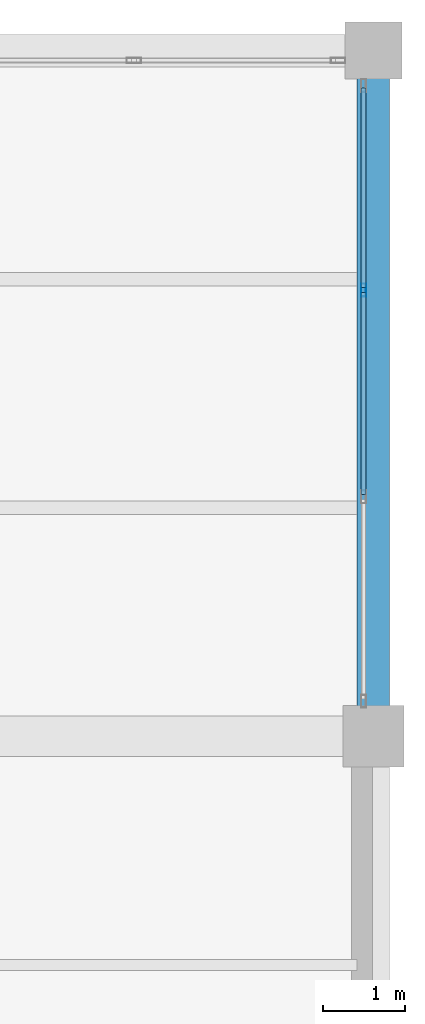
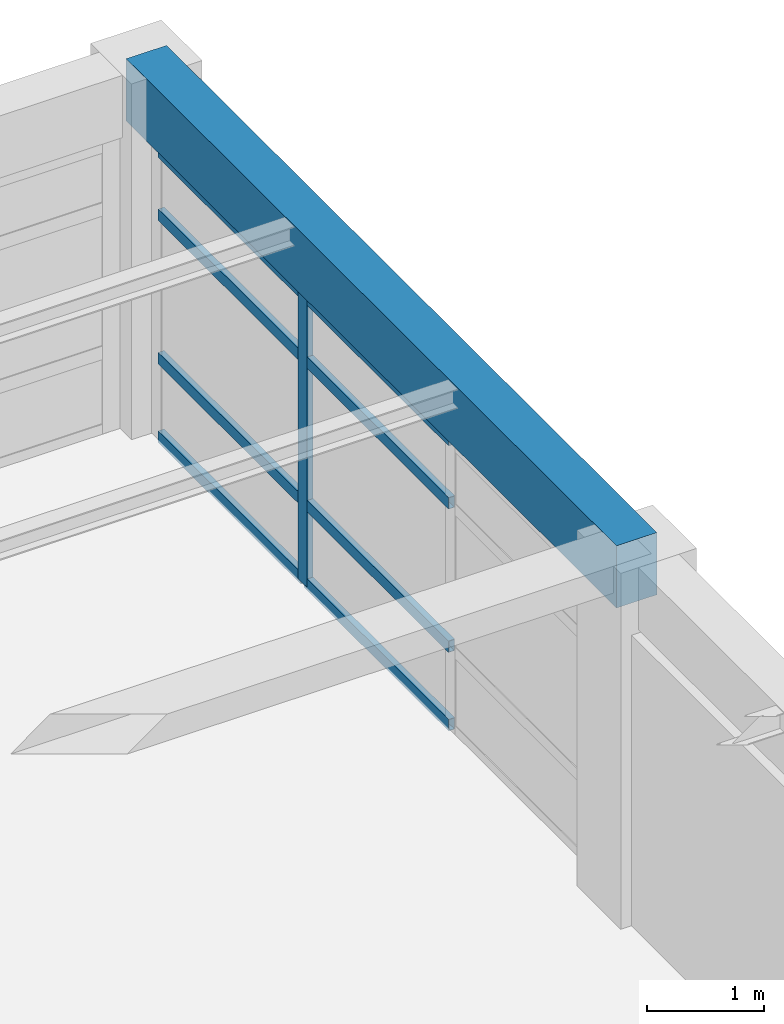
# One storey, part 15 of 26: 9 members, 1 beam, 1 element without a shape of its own.
"""IFC4 building model written with IfcOpenShell, lengths in metres."""

from ifc_helpers import new_model, si_unit, direction, frame, origin, origin_2d, place, context, subcontext, project, spatial, rectangle, hollow_rectangle, extrude, material, material_profile, profile_set, type_object, element, aggregate, save


model = new_model("IFC4")

# Units and contexts
model_context = context("Model", 3, precision=1e-05, world=origin(), true_north=direction((0.0, 1.0)))
body_context = subcontext(model_context, "Body", "Model", "MODEL_VIEW")
ifc_project = project(units=[si_unit("LENGTHUNIT", "METRE"), si_unit("AREAUNIT", "SQUARE_METRE"), si_unit("VOLUMEUNIT", "CUBIC_METRE"), si_unit("PLANEANGLEUNIT", "RADIAN"), si_unit("MASSUNIT", "GRAM", prefix="KILO")], contexts=[model_context])

# Site, building, storey
site_placement = place(None, origin())
site = spatial("IfcSite", under=ifc_project, at=site_placement, CompositionType="ELEMENT")
building_placement = place(site_placement, origin())
building = spatial("IfcBuilding", under=site, at=building_placement, Name="Almacenes y Pasaje Nevantli", CompositionType="ELEMENT")
storey_placement = place(building_placement, frame((0.0, 0.0, 30.699951171875)))
storey = spatial("IfcBuildingStorey", under=building, at=storey_placement, Name="L07", CompositionType="ELEMENT", Elevation=30.699951171875)

# Beam
ifc_material_1 = material(Name="Concrete C35/45", Category="concrete")
ifc_material_profile_1 = material_profile(ifc_material_1, rectangle(XDim=0.39990234375, YDim=0.64990234375, at=origin_2d()), Name="RC-BM-400x650")
ifc_profile_set_1 = profile_set([ifc_material_profile_1], Name="Concrete C35/45")
beam_type = type_object("IfcBeamType", Name="BM-RC-400x650", PredefinedType="SPANDREL", material=ifc_profile_set_1)
beam_placement = place(storey_placement, frame((159.60009765625, 92.39990234375, 3.39501953125), z_axis=(0.0, 1.0, 0.0), x_axis=(-1.0, 0.0, 0.0)))
element("IfcBeam", 1, at=beam_placement, inside=storey, type_object=beam_type, Name="L07 North-South Reinforced Concrete Beam #3684", PredefinedType="SPANDREL", context=body_context, shape_type="SweptSolid", body=[
    extrude(rectangle(XDim=0.39990234375, YDim=0.64990234375, at=origin_2d()), origin(), (0.0, 0.0, 1.0), 8.400146484375),
])

# Curtain wall, members
ifc_material_2 = material(Name="Thermally Broken Aluminium and Low-E Glass", Category="aluminium")
curtain_wall_type = type_object("IfcCurtainWallType", Name="CW-UNIT-TOWER", PredefinedType="USERDEFINED", material=ifc_material_2)
curtain_wall_placement = place(storey_placement, origin())
curtain_wall = element("IfcCurtainWall", 2, at=curtain_wall_placement, inside=storey, type_object=curtain_wall_type, Name="L07 Tower East Curtain Wall Bay 12", ObjectType="UNITIZED CURTAIN WALL", PredefinedType="USERDEFINED")
ifc_material_3 = material(Name="Thermally Broken Anodized Aluminium", Category="aluminium")
ifc_material_profile_2 = material_profile(ifc_material_3, hollow_rectangle(XDim=0.06005859375, YDim=0.159912109375, WallThickness=0.00390625, at=origin_2d()), Name="ALU-MUL-60x160")
ifc_profile_set_2 = profile_set([ifc_material_profile_2], Name="Thermally Broken Anodized Aluminium")
member_type_1 = type_object("IfcMemberType", Name="CW-MUL-180", PredefinedType="MULLION", material=ifc_profile_set_2)
member_1_placement = place(storey_placement, frame((159.47998046875, 97.86669921875, 0.0), z_axis=(0.0, 0.0, 1.0), x_axis=(-1.0, 0.0, 0.0)))
member_1 = element("IfcMember", 3, at=member_1_placement, type_object=member_type_1, Name="CW-L07-120 mullion 3", PredefinedType="MULLION", context=body_context, shape_type="SweptSolid", body=[
    extrude(hollow_rectangle(XDim=0.06005859375, YDim=0.159912109375, WallThickness=0.00390625, at=origin_2d()), origin(), (0.0, 0.0, 1.0), 3.0400390625),
])
ifc_material_4 = material(Name="Thermally Broken Anodized Aluminium", Category="aluminium")
ifc_material_profile_3 = material_profile(ifc_material_4, hollow_rectangle(XDim=0.06005859375, YDim=0.1201171875, WallThickness=0.00341796875, at=origin_2d()), Name="ALU-TRN-60x120")
ifc_profile_set_3 = profile_set([ifc_material_profile_3], Name="Thermally Broken Anodized Aluminium")
member_type_2 = type_object("IfcMemberType", Name="CW-TRN-130", PredefinedType="USERDEFINED", material=ifc_profile_set_3)
member_2_placement = place(storey_placement, frame((159.47998046875, 95.36328125, 0.030029296875), z_axis=(0.0, 1.0, 0.0), x_axis=(-1.0, 0.0, 0.0)))
member_2 = element("IfcMember", 4, at=member_2_placement, type_object=member_type_2, Name="CW-L07-120 transom 2.1", ObjectType="TRANSOM", PredefinedType="USERDEFINED", context=body_context, shape_type="SweptSolid", body=[
    extrude(hollow_rectangle(XDim=0.06005859375, YDim=0.1201171875, WallThickness=0.00341796875, at=origin_2d()), origin(), (0.0, 0.0, 1.0), 2.473388671875),
])
member_3_placement = place(storey_placement, frame((159.47998046875, 95.36328125, 0.85009765625), z_axis=(0.0, 1.0, 0.0), x_axis=(-1.0, 0.0, 0.0)))
member_3 = element("IfcMember", 5, at=member_3_placement, type_object=member_type_2, Name="CW-L07-120 transom 2.2", ObjectType="TRANSOM", PredefinedType="USERDEFINED", context=body_context, shape_type="SweptSolid", body=[
    extrude(hollow_rectangle(XDim=0.06005859375, YDim=0.1201171875, WallThickness=0.00341796875, at=origin_2d()), origin(), (0.0, 0.0, 1.0), 2.473388671875),
])
member_4_placement = place(storey_placement, frame((159.47998046875, 95.36328125, 2.35009765625), z_axis=(0.0, 1.0, 0.0), x_axis=(-1.0, 0.0, 0.0)))
member_4 = element("IfcMember", 6, at=member_4_placement, type_object=member_type_2, Name="CW-L07-120 transom 2.3", ObjectType="TRANSOM", PredefinedType="USERDEFINED", context=body_context, shape_type="SweptSolid", body=[
    extrude(hollow_rectangle(XDim=0.06005859375, YDim=0.1201171875, WallThickness=0.00341796875, at=origin_2d()), origin(), (0.0, 0.0, 1.0), 2.473388671875),
])
member_5_placement = place(storey_placement, frame((159.47998046875, 95.36328125, 3.010009765625), z_axis=(0.0, 1.0, 0.0), x_axis=(-1.0, 0.0, 0.0)))
member_5 = element("IfcMember", 7, at=member_5_placement, type_object=member_type_2, Name="CW-L07-120 transom 2.4", ObjectType="TRANSOM", PredefinedType="USERDEFINED", context=body_context, shape_type="SweptSolid", body=[
    extrude(hollow_rectangle(XDim=0.06005859375, YDim=0.1201171875, WallThickness=0.00341796875, at=origin_2d()), origin(), (0.0, 0.0, 1.0), 2.473388671875),
])
member_6_placement = place(storey_placement, frame((159.47998046875, 97.896728515625, 0.030029296875), z_axis=(0.0, 1.0, 0.0), x_axis=(-1.0, 0.0, 0.0)))
member_6 = element("IfcMember", 8, at=member_6_placement, type_object=member_type_2, Name="CW-L07-120 transom 3.1", ObjectType="TRANSOM", PredefinedType="USERDEFINED", context=body_context, shape_type="SweptSolid", body=[
    extrude(hollow_rectangle(XDim=0.06005859375, YDim=0.1201171875, WallThickness=0.00341796875, at=origin_2d()), origin(), (0.0, 0.0, 1.0), 2.443359375),
])
member_7_placement = place(storey_placement, frame((159.47998046875, 97.896728515625, 0.85009765625), z_axis=(0.0, 1.0, 0.0), x_axis=(-1.0, 0.0, 0.0)))
member_7 = element("IfcMember", 9, at=member_7_placement, type_object=member_type_2, Name="CW-L07-120 transom 3.2", ObjectType="TRANSOM", PredefinedType="USERDEFINED", context=body_context, shape_type="SweptSolid", body=[
    extrude(hollow_rectangle(XDim=0.06005859375, YDim=0.1201171875, WallThickness=0.00341796875, at=origin_2d()), origin(), (0.0, 0.0, 1.0), 2.443359375),
])
member_8_placement = place(storey_placement, frame((159.47998046875, 97.896728515625, 2.35009765625), z_axis=(0.0, 1.0, 0.0), x_axis=(-1.0, 0.0, 0.0)))
member_8 = element("IfcMember", 10, at=member_8_placement, type_object=member_type_2, Name="CW-L07-120 transom 3.3", ObjectType="TRANSOM", PredefinedType="USERDEFINED", context=body_context, shape_type="SweptSolid", body=[
    extrude(hollow_rectangle(XDim=0.06005859375, YDim=0.1201171875, WallThickness=0.00341796875, at=origin_2d()), origin(), (0.0, 0.0, 1.0), 2.443359375),
])
member_9_placement = place(storey_placement, frame((159.47998046875, 97.896728515625, 3.010009765625), z_axis=(0.0, 1.0, 0.0), x_axis=(-1.0, 0.0, 0.0)))
member_9 = element("IfcMember", 11, at=member_9_placement, type_object=member_type_2, Name="CW-L07-120 transom 3.4", ObjectType="TRANSOM", PredefinedType="USERDEFINED", context=body_context, shape_type="SweptSolid", body=[
    extrude(hollow_rectangle(XDim=0.06005859375, YDim=0.1201171875, WallThickness=0.00341796875, at=origin_2d()), origin(), (0.0, 0.0, 1.0), 2.443359375),
])
aggregate(curtain_wall, [member_1, member_2, member_3, member_4, member_5, member_6, member_7, member_8, member_9])

save(model, "model.ifc")
